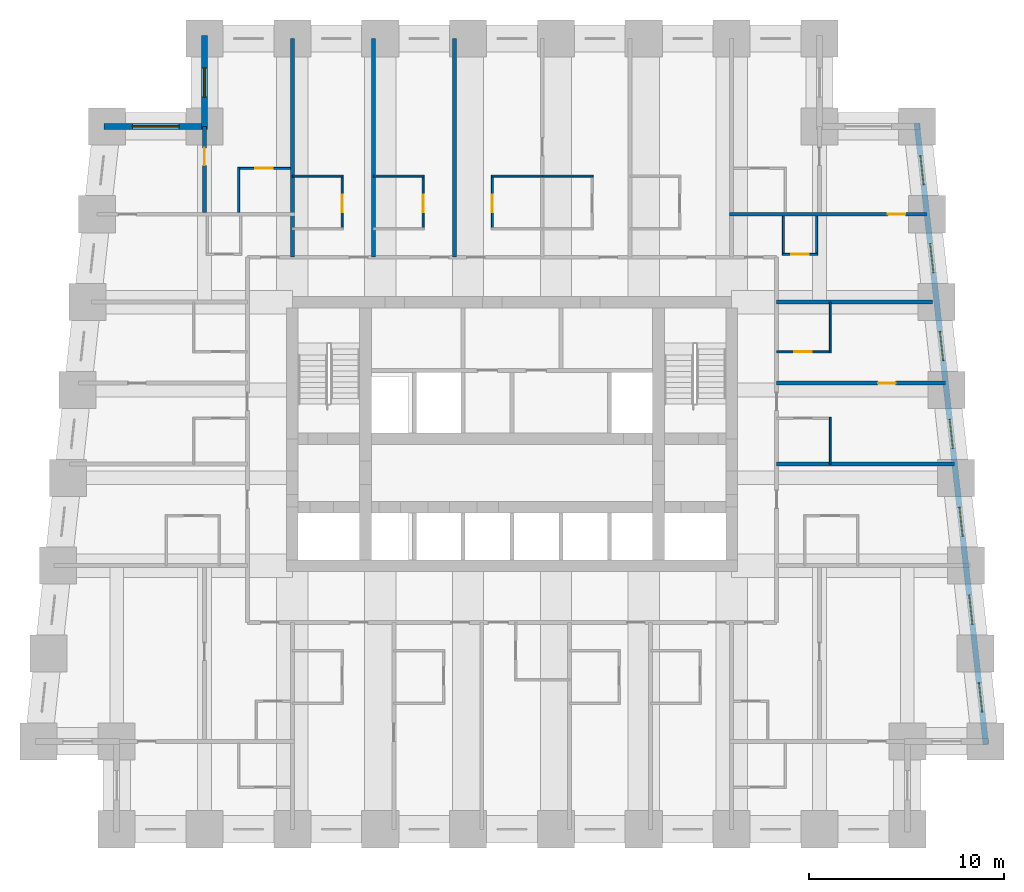
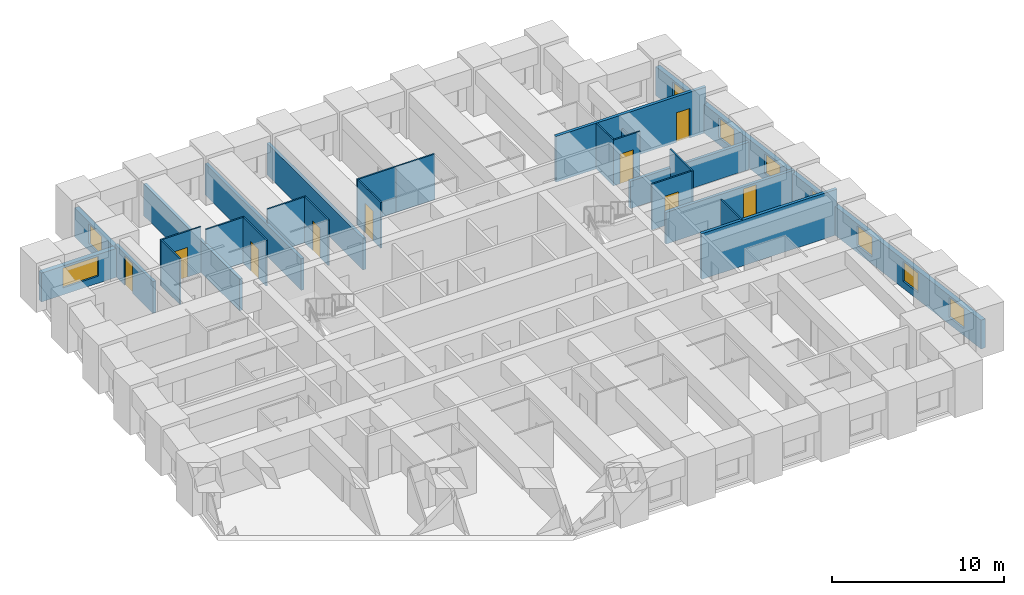
# One storey, part 6 of 8: 26 walls, 9 doors, 9 windows, 18 openings.
"""IFC4 building model written with IfcOpenShell, lengths in metres."""

from ifc_helpers import new_model, si_unit, direction, frame, frame_2d, origin, place, context, subcontext, project, spatial, rectangle, extrude, material, layer, layer_set, type_object, element, fill, save


model = new_model("IFC4")

# Units and contexts
model_context = context("Model", 3, precision=1e-05, world=origin(), true_north=direction((0.0, 1.0)))
body_context = subcontext(model_context, "Body", "Model", "MODEL_VIEW")
ifc_project = project(units=[si_unit("LENGTHUNIT", "METRE"), si_unit("AREAUNIT", "SQUARE_METRE"), si_unit("VOLUMEUNIT", "CUBIC_METRE"), si_unit("PLANEANGLEUNIT", "RADIAN"), si_unit("MASSUNIT", "GRAM", prefix="KILO")], contexts=[model_context])

# Site, building, storey
site_placement = place(None, origin())
site = spatial("IfcSite", under=ifc_project, at=site_placement, CompositionType="ELEMENT")
building_placement = place(site_placement, origin())
building = spatial("IfcBuilding", under=site, at=building_placement, Name="Kilele Tower Hotel", CompositionType="ELEMENT")
storey_placement = place(building_placement, frame((0.0, 0.0, 40.199951171875)))
storey = spatial("IfcBuildingStorey", under=building, at=storey_placement, Name="L08", CompositionType="ELEMENT", Elevation=40.199951171875)

# Walls
ifc_material_1 = material(Name="Moisture-resistant board")
ifc_layer_1 = layer(ifc_material_1, 0.10009765625)
ifc_layer_set_1 = layer_set([ifc_layer_1], Name="Moisture-resistant board")
wall_type_1 = type_object("IfcWallType", Name="Bathroom partition 100", PredefinedType="PLUMBINGWALL", material=ifc_layer_set_1)
wall_1_placement = place(storey_placement, frame((41.050048828125, 18.699951171875, 0.0), z_axis=(0.0, 0.0, 1.0), x_axis=(0.0, 1.0, 0.0)))
element("IfcWall", 1, at=wall_1_placement, inside=storey, type_object=wall_type_1, Name="Bathroom partition 100 L08", PredefinedType="PLUMBINGWALL", context=body_context, shape_type="SweptSolid", body=[
    extrude(rectangle(XDim=2.400146484375, YDim=0.10009765625, at=frame_2d((1.2001953125, 0.0))), origin(), (0.0, 0.0, 1.0), 3.25),
])
wall_2_placement = place(storey_placement, frame((41.050048828125, 24.39990234375, 0.0), z_axis=(0.0, 0.0, 1.0), x_axis=(0.0, 1.0, 0.0)))
element("IfcWall", 2, at=wall_2_placement, inside=storey, type_object=wall_type_1, Name="Bathroom partition 100 L08", PredefinedType="PLUMBINGWALL", context=body_context, shape_type="SweptSolid", body=[
    extrude(rectangle(XDim=2.60009765625, YDim=0.10009765625, at=frame_2d((1.300048828125, 0.0))), origin(), (0.0, 0.0, 1.0), 3.25),
])

# Wall, opening, door
wall_3_placement = place(storey_placement, frame((38.300048828125, 24.449951171875, 0.0), z_axis=(0.0, 0.0, 1.0), x_axis=(1.0, 0.0, 0.0)))
wall_3 = element("IfcWall", 3, at=wall_3_placement, inside=storey, type_object=wall_type_1, Name="Bathroom partition 100 L08", PredefinedType="PLUMBINGWALL", context=body_context, shape_type="SweptSolid", body=[
    extrude(rectangle(XDim=2.800048828125, YDim=0.10009765625, at=frame_2d((1.39990234375, 0.0))), origin(), (0.0, 0.0, 1.0), 3.25),
])
opening_1_placement = place(wall_3_placement, frame((1.7998046875, 0.0, 0.0), z_axis=(0.0, 0.0, 1.0), x_axis=(-1.0, 0.0, 0.0)))
opening_1 = element("IfcOpeningElement", 4, at=opening_1_placement, cuts=wall_3, Name="Opening D2A", PredefinedType="OPENING", context=body_context, shape_type="SweptSolid", body=[
    extrude(rectangle(XDim=0.89990234375, YDim=2.10009765625, at=frame_2d((0.449951171875, 1.050048828125))), frame((0.0, 0.06005859375, 0.0), z_axis=(0.0, -1.0, 0.0), x_axis=(1.0, 0.0, 0.0)), (0.0, 0.0, 1.0), 0.1201171875),
])
ifc_material_2 = material(Name="Timber door leaf in hardwood frame", Category="wood")
door_type_1 = type_object("IfcDoorType", Name="Bathroom door 900", OperationType="SINGLE_SWING_LEFT", PredefinedType="DOOR", material=ifc_material_2)
door_1_placement = place(opening_1_placement, origin())
door_1 = element("IfcDoor", 5, at=door_1_placement, inside=storey, type_object=door_type_1, Name="Bathroom door 0808B", OperationType="SINGLE_SWING_RIGHT", OverallHeight=2.10009765625, OverallWidth=0.89990234375, PredefinedType="DOOR", context=body_context, shape_type="SweptSolid", body=[
    extrude(rectangle(XDim=0.89990234375, YDim=2.10009765625, at=frame_2d((0.449951171875, 1.050048828125))), frame((0.0, 0.02490234375, 0.0), z_axis=(0.0, -1.0, 0.0), x_axis=(1.0, 0.0, 0.0)), (0.0, 0.0, 1.0), 0.050048828125),
])
fill(opening_1, door_1)

# Wall
wall_4_placement = place(storey_placement, frame((13.5, 33.449951171875, 0.0), z_axis=(0.0, 0.0, 1.0), x_axis=(1.0, 0.0, 0.0)))
element("IfcWall", 6, at=wall_4_placement, inside=storey, type_object=wall_type_1, Name="Bathroom partition 100 L08", PredefinedType="PLUMBINGWALL", context=body_context, shape_type="SweptSolid", body=[
    extrude(rectangle(XDim=2.60009765625, YDim=0.10009765625, at=frame_2d((1.300048828125, 0.0))), origin(), (0.0, 0.0, 1.0), 3.25),
])

# Wall, opening, door
wall_5_placement = place(storey_placement, frame((16.050048828125, 30.699951171875, 0.0), z_axis=(0.0, 0.0, 1.0), x_axis=(0.0, 1.0, 0.0)))
wall_5 = element("IfcWall", 7, at=wall_5_placement, inside=storey, type_object=wall_type_1, Name="Bathroom partition 100 L08", PredefinedType="PLUMBINGWALL", context=body_context, shape_type="SweptSolid", body=[
    extrude(rectangle(XDim=2.800048828125, YDim=0.10009765625, at=frame_2d((1.39990234375, 0.0))), origin(), (0.0, 0.0, 1.0), 3.25),
])
opening_2_placement = place(wall_5_placement, frame((1.7998046875, 0.0, 0.0), z_axis=(0.0, 0.0, 1.0), x_axis=(-1.0, 0.0, 0.0)))
opening_2 = element("IfcOpeningElement", 8, at=opening_2_placement, cuts=wall_5, Name="Opening D2A", PredefinedType="OPENING", context=body_context, shape_type="SweptSolid", body=[
    extrude(rectangle(XDim=0.89990234375, YDim=2.10009765625, at=frame_2d((0.449951171875, 1.050048828125))), frame((0.0, 0.06005859375, 0.0), z_axis=(0.0, -1.0, 0.0), x_axis=(1.0, 0.0, 0.0)), (0.0, 0.0, 1.0), 0.1201171875),
])
door_2_placement = place(opening_2_placement, origin())
door_2 = element("IfcDoor", 9, at=door_2_placement, inside=storey, type_object=door_type_1, Name="Bathroom door 0809B", OperationType="SINGLE_SWING_RIGHT", OverallHeight=2.10009765625, OverallWidth=0.89990234375, PredefinedType="DOOR", context=body_context, shape_type="SweptSolid", body=[
    extrude(rectangle(XDim=0.89990234375, YDim=2.10009765625, at=frame_2d((0.449951171875, 1.050048828125))), frame((0.0, 0.02490234375, 0.0), z_axis=(0.0, -1.0, 0.0), x_axis=(1.0, 0.0, 0.0)), (0.0, 0.0, 1.0), 0.050048828125),
])
fill(opening_2, door_2)

# Wall
wall_6_placement = place(storey_placement, frame((17.64990234375, 33.449951171875, 0.0), z_axis=(0.0, 0.0, 1.0), x_axis=(1.0, 0.0, 0.0)))
element("IfcWall", 10, at=wall_6_placement, inside=storey, type_object=wall_type_1, Name="Bathroom partition 100 L08", PredefinedType="PLUMBINGWALL", context=body_context, shape_type="SweptSolid", body=[
    extrude(rectangle(XDim=2.60009765625, YDim=0.10009765625, at=frame_2d((1.300048828125, 0.0))), origin(), (0.0, 0.0, 1.0), 3.25),
])

# Wall, opening, door
wall_7_placement = place(storey_placement, frame((20.199951171875, 30.699951171875, 0.0), z_axis=(0.0, 0.0, 1.0), x_axis=(0.0, 1.0, 0.0)))
wall_7 = element("IfcWall", 11, at=wall_7_placement, inside=storey, type_object=wall_type_1, Name="Bathroom partition 100 L08", PredefinedType="PLUMBINGWALL", context=body_context, shape_type="SweptSolid", body=[
    extrude(rectangle(XDim=2.800048828125, YDim=0.10009765625, at=frame_2d((1.39990234375, 0.0))), origin(), (0.0, 0.0, 1.0), 3.25),
])
opening_3_placement = place(wall_7_placement, frame((1.7998046875, 0.0, 0.0), z_axis=(0.0, 0.0, 1.0), x_axis=(-1.0, 0.0, 0.0)))
opening_3 = element("IfcOpeningElement", 12, at=opening_3_placement, cuts=wall_7, Name="Opening D2A", PredefinedType="OPENING", context=body_context, shape_type="SweptSolid", body=[
    extrude(rectangle(XDim=0.89990234375, YDim=2.10009765625, at=frame_2d((0.449951171875, 1.050048828125))), frame((0.0, 0.06005859375, 0.0), z_axis=(0.0, -1.0, 0.0), x_axis=(1.0, 0.0, 0.0)), (0.0, 0.0, 1.0), 0.1201171875),
])
door_3_placement = place(opening_3_placement, origin())
door_3 = element("IfcDoor", 13, at=door_3_placement, inside=storey, type_object=door_type_1, Name="Bathroom door 0810B", OperationType="SINGLE_SWING_RIGHT", OverallHeight=2.10009765625, OverallWidth=0.89990234375, PredefinedType="DOOR", context=body_context, shape_type="SweptSolid", body=[
    extrude(rectangle(XDim=0.89990234375, YDim=2.10009765625, at=frame_2d((0.449951171875, 1.050048828125))), frame((0.0, 0.02490234375, 0.0), z_axis=(0.0, -1.0, 0.0), x_axis=(1.0, 0.0, 0.0)), (0.0, 0.0, 1.0), 0.050048828125),
])
fill(opening_3, door_3)

# Wall
wall_8_placement = place(storey_placement, frame((23.699951171875, 33.449951171875, 0.0), z_axis=(0.0, 0.0, 1.0), x_axis=(1.0, 0.0, 0.0)))
element("IfcWall", 14, at=wall_8_placement, inside=storey, type_object=wall_type_1, Name="Bathroom partition 100 L08", PredefinedType="PLUMBINGWALL", context=body_context, shape_type="SweptSolid", body=[
    extrude(rectangle(XDim=2.60009765625, YDim=0.10009765625, at=frame_2d((1.300048828125, 0.0))), origin(), (0.0, 0.0, 1.0), 3.25),
])

# Wall, opening, door
wall_9_placement = place(storey_placement, frame((23.75, 30.699951171875, 0.0), z_axis=(0.0, 0.0, 1.0), x_axis=(0.0, 1.0, 0.0)))
wall_9 = element("IfcWall", 15, at=wall_9_placement, inside=storey, type_object=wall_type_1, Name="Bathroom partition 100 L08", PredefinedType="PLUMBINGWALL", context=body_context, shape_type="SweptSolid", body=[
    extrude(rectangle(XDim=2.800048828125, YDim=0.10009765625, at=frame_2d((1.39990234375, 0.0))), origin(), (0.0, 0.0, 1.0), 3.25),
])
opening_4_placement = place(wall_9_placement, frame((0.89990234375, 0.0, 0.0)))
opening_4 = element("IfcOpeningElement", 16, at=opening_4_placement, cuts=wall_9, Name="Opening D2A", PredefinedType="OPENING", context=body_context, shape_type="SweptSolid", body=[
    extrude(rectangle(XDim=0.89990234375, YDim=2.10009765625, at=frame_2d((0.449951171875, 1.050048828125))), frame((0.0, 0.06005859375, 0.0), z_axis=(0.0, -1.0, 0.0), x_axis=(1.0, 0.0, 0.0)), (0.0, 0.0, 1.0), 0.1201171875),
])
door_4_placement = place(opening_4_placement, origin())
door_4 = element("IfcDoor", 17, at=door_4_placement, inside=storey, type_object=door_type_1, Name="Bathroom door 0811B", OperationType="SINGLE_SWING_LEFT", OverallHeight=2.10009765625, OverallWidth=0.89990234375, PredefinedType="DOOR", context=body_context, shape_type="SweptSolid", body=[
    extrude(rectangle(XDim=0.89990234375, YDim=2.10009765625, at=frame_2d((0.449951171875, 1.050048828125))), frame((0.0, 0.02490234375, 0.0), z_axis=(0.0, -1.0, 0.0), x_axis=(1.0, 0.0, 0.0)), (0.0, 0.0, 1.0), 0.050048828125),
])
fill(opening_4, door_4)

# Walls
wall_10_placement = place(storey_placement, frame((26.300048828125, 33.449951171875, 0.0), z_axis=(0.0, 0.0, 1.0), x_axis=(1.0, 0.0, 0.0)))
element("IfcWall", 18, at=wall_10_placement, inside=storey, type_object=wall_type_1, Name="Bathroom partition 100 L08", PredefinedType="PLUMBINGWALL", context=body_context, shape_type="SweptSolid", body=[
    extrude(rectangle(XDim=2.599853515625, YDim=0.10009765625, at=frame_2d((1.2998046875, 0.0))), origin(), (0.0, 0.0, 1.0), 3.25),
])
wall_11_placement = place(storey_placement, frame((40.35009765625, 31.39990234375, 0.0), z_axis=(0.0, 0.0, 1.0), x_axis=(0.0, -1.0, 0.0)))
element("IfcWall", 19, at=wall_11_placement, inside=storey, type_object=wall_type_1, Name="Bathroom partition 100 L08", PredefinedType="PLUMBINGWALL", context=body_context, shape_type="SweptSolid", body=[
    extrude(rectangle(XDim=2.0, YDim=0.10009765625, at=frame_2d((1.0, 0.0))), origin(), (0.0, 0.0, 1.0), 2.25),
])
wall_12_placement = place(storey_placement, frame((38.64990234375, 31.39990234375, 0.0), z_axis=(0.0, 0.0, 1.0), x_axis=(0.0, -1.0, 0.0)))
element("IfcWall", 20, at=wall_12_placement, inside=storey, type_object=wall_type_1, Name="Bathroom partition 100 L08", PredefinedType="PLUMBINGWALL", context=body_context, shape_type="SweptSolid", body=[
    extrude(rectangle(XDim=2.0, YDim=0.10009765625, at=frame_2d((1.0, 0.0))), origin(), (0.0, 0.0, 1.0), 3.25),
])

# Wall, opening, door
wall_13_placement = place(storey_placement, frame((38.60009765625, 29.449951171875, 0.0), z_axis=(0.0, 0.0, 1.0), x_axis=(1.0, 0.0, 0.0)))
wall_13 = element("IfcWall", 21, at=wall_13_placement, inside=storey, type_object=wall_type_1, Name="Bathroom partition 100 L08", PredefinedType="PLUMBINGWALL", context=body_context, shape_type="SweptSolid", body=[
    extrude(rectangle(XDim=1.7998046875, YDim=0.10009765625, at=frame_2d((0.89990234375, 0.0))), origin(), (0.0, 0.0, 1.0), 3.25),
])
opening_5_placement = place(wall_13_placement, frame((1.349853515625, 0.0, 0.0), z_axis=(0.0, 0.0, 1.0), x_axis=(-1.0, 0.0, 0.0)))
opening_5 = element("IfcOpeningElement", 22, at=opening_5_placement, cuts=wall_13, Name="Opening D2A", PredefinedType="OPENING", context=body_context, shape_type="SweptSolid", body=[
    extrude(rectangle(XDim=0.89990234375, YDim=2.10009765625, at=frame_2d((0.449951171875, 1.050048828125))), frame((0.0, 0.06005859375, 0.0), z_axis=(0.0, -1.0, 0.0), x_axis=(1.0, 0.0, 0.0)), (0.0, 0.0, 1.0), 0.1201171875),
])
door_5_placement = place(opening_5_placement, origin())
door_5 = element("IfcDoor", 23, at=door_5_placement, inside=storey, type_object=door_type_1, Name="Bathroom door 0823P", OperationType="SINGLE_SWING_RIGHT", OverallHeight=2.10009765625, OverallWidth=0.89990234375, PredefinedType="DOOR", context=body_context, shape_type="SweptSolid", body=[
    extrude(rectangle(XDim=0.89990234375, YDim=2.10009765625, at=frame_2d((0.449951171875, 1.050048828125))), frame((0.0, 0.02490234375, 0.0), z_axis=(0.0, -1.0, 0.0), x_axis=(1.0, 0.0, 0.0)), (0.0, 0.0, 1.0), 0.050048828125),
])
fill(opening_5, door_5)

# Wall
wall_14_placement = place(storey_placement, frame((10.75, 31.60009765625, 0.0), z_axis=(0.0, 0.0, 1.0), x_axis=(0.0, 1.0, 0.0)))
element("IfcWall", 24, at=wall_14_placement, inside=storey, type_object=wall_type_1, Name="Bathroom partition 100 L08", PredefinedType="PLUMBINGWALL", context=body_context, shape_type="SweptSolid", body=[
    extrude(rectangle(XDim=2.2998046875, YDim=0.10009765625, at=frame_2d((1.14990234375, 0.0))), origin(), (0.0, 0.0, 1.0), 3.25),
])

# Wall, opening, door
wall_15_placement = place(storey_placement, frame((13.39990234375, 33.85009765625, 0.0), z_axis=(0.0, 0.0, 1.0), x_axis=(-1.0, 0.0, 0.0)))
wall_15 = element("IfcWall", 25, at=wall_15_placement, inside=storey, type_object=wall_type_1, Name="Bathroom partition 100 L08", PredefinedType="PLUMBINGWALL", context=body_context, shape_type="SweptSolid", body=[
    extrude(rectangle(XDim=2.699951171875, YDim=0.10009765625, at=frame_2d((1.35009765625, 0.0))), origin(), (0.0, 0.0, 1.0), 3.25),
])
opening_6_placement = place(wall_15_placement, frame((1.7998046875, 0.0, 0.0), z_axis=(0.0, 0.0, 1.0), x_axis=(-1.0, 0.0, 0.0)))
opening_6 = element("IfcOpeningElement", 26, at=opening_6_placement, cuts=wall_15, Name="Opening D2A", PredefinedType="OPENING", context=body_context, shape_type="SweptSolid", body=[
    extrude(rectangle(XDim=0.89990234375, YDim=2.10009765625, at=frame_2d((0.449951171875, 1.050048828125))), frame((0.0, 0.06005859375, 0.0), z_axis=(0.0, -1.0, 0.0), x_axis=(1.0, 0.0, 0.0)), (0.0, 0.0, 1.0), 0.1201171875),
])
door_6_placement = place(opening_6_placement, origin())
door_6 = element("IfcDoor", 27, at=door_6_placement, inside=storey, type_object=door_type_1, Name="Bathroom door 0827B", OperationType="SINGLE_SWING_RIGHT", OverallHeight=2.10009765625, OverallWidth=0.89990234375, PredefinedType="DOOR", context=body_context, shape_type="SweptSolid", body=[
    extrude(rectangle(XDim=0.89990234375, YDim=2.10009765625, at=frame_2d((0.449951171875, 1.050048828125))), frame((0.0, 0.02490234375, 0.0), z_axis=(0.0, -1.0, 0.0), x_axis=(1.0, 0.0, 0.0)), (0.0, 0.0, 1.0), 0.050048828125),
])
fill(opening_6, door_6)

ifc_material_3 = material(Name="Blockwork, plastered both sides", Category="masonry")
ifc_layer_2 = layer(ifc_material_3, 0.199951171875)
ifc_layer_set_2 = layer_set([ifc_layer_2], Name="Blockwork, plastered both sides")
wall_type_2 = type_object("IfcWallType", Name="Partition wall 200", PredefinedType="PARTITIONING", material=ifc_layer_set_2)
wall_16_placement = place(storey_placement, frame((9.0, 31.60009765625, 0.0), z_axis=(0.0, 0.0, 1.0), x_axis=(0.0, 1.0, 0.0)))
wall_16 = element("IfcWall", 28, at=wall_16_placement, inside=storey, type_object=wall_type_2, Name="Partition wall 200 L08", PredefinedType="PARTITIONING", context=body_context, shape_type="SweptSolid", body=[
    extrude(rectangle(XDim=4.39990234375, YDim=0.199951171875, at=frame_2d((2.199951171875, 0.0))), origin(), (0.0, 0.0, 1.0), 2.25),
])
opening_7_placement = place(wall_16_placement, frame((2.39990234375, 0.0, 0.0)))
opening_7 = element("IfcOpeningElement", 29, at=opening_7_placement, cuts=wall_16, Name="Opening D3", PredefinedType="OPENING", context=body_context, shape_type="SweptSolid", body=[
    extrude(rectangle(XDim=0.89990234375, YDim=2.10009765625, at=frame_2d((0.449951171875, 1.050048828125))), frame((0.0, 0.10986328125, 0.0), z_axis=(0.0, -1.0, 0.0), x_axis=(1.0, 0.0, 0.0)), (0.0, 0.0, 1.0), 0.219970703125),
])
ifc_material_4 = material(Name="Timber door leaf in hardwood frame", Category="wood")
door_type_2 = type_object("IfcDoorType", Name="Suite internal door 900", OperationType="SINGLE_SWING_LEFT", PredefinedType="DOOR", material=ifc_material_4)
door_7_placement = place(opening_7_placement, origin())
door_7 = element("IfcDoor", 30, at=door_7_placement, inside=storey, type_object=door_type_2, Name="Suite door 0828", OperationType="SINGLE_SWING_RIGHT", OverallHeight=2.10009765625, OverallWidth=0.89990234375, PredefinedType="DOOR", context=body_context, shape_type="SweptSolid", body=[
    extrude(rectangle(XDim=0.89990234375, YDim=2.10009765625, at=frame_2d((0.449951171875, 1.050048828125))), frame((0.0, 0.02490234375, 0.0), z_axis=(0.0, -1.0, 0.0), x_axis=(1.0, 0.0, 0.0)), (0.0, 0.0, 1.0), 0.050048828125),
])
fill(opening_7, door_7)

# Wall
ifc_material_5 = material(Name="Blockwork, plastered both sides", Category="masonry")
ifc_layer_3 = layer(ifc_material_5, 0.199951171875)
ifc_layer_set_3 = layer_set([ifc_layer_3], Name="Blockwork, plastered both sides")
wall_type_3 = type_object("IfcWallType", Name="Party wall 200", PredefinedType="PARTITIONING", material=ifc_layer_set_3)
wall_17_placement = place(storey_placement, frame((38.300048828125, 18.699951171875, 0.0), z_axis=(0.0, 0.0, 1.0), x_axis=(1.0, 0.0, 0.0)))
element("IfcWall", 31, at=wall_17_placement, inside=storey, type_object=wall_type_3, Name="Party wall 200 L08", PredefinedType="PARTITIONING", context=body_context, shape_type="SweptSolid", body=[
    extrude(rectangle(XDim=9.121337890625, YDim=0.199951171875, at=frame_2d((4.560546875, 0.0))), origin(), (0.0, 0.0, 1.0), 3.25),
])

# Wall, opening, door
wall_18_placement = place(storey_placement, frame((38.300048828125, 22.85009765625, 0.0), z_axis=(0.0, 0.0, 1.0), x_axis=(1.0, 0.0, 0.0)))
wall_18 = element("IfcWall", 32, at=wall_18_placement, inside=storey, type_object=wall_type_3, Name="Party wall 200 L08", PredefinedType="PARTITIONING", context=body_context, shape_type="SweptSolid", body=[
    extrude(rectangle(XDim=8.66015625, YDim=0.199951171875, at=frame_2d((4.330078125, 0.0))), origin(), (0.0, 0.0, 1.0), 2.25),
])
opening_8_placement = place(wall_18_placement, frame((5.199951171875, 0.0, 0.0)))
opening_8 = element("IfcOpeningElement", 33, at=opening_8_placement, cuts=wall_18, Name="Opening D3", PredefinedType="OPENING", context=body_context, shape_type="SweptSolid", body=[
    extrude(rectangle(XDim=0.89990234375, YDim=2.10009765625, at=frame_2d((0.449951171875, 1.050048828125))), frame((0.0, 0.10986328125, 0.0), z_axis=(0.0, -1.0, 0.0), x_axis=(1.0, 0.0, 0.0)), (0.0, 0.0, 1.0), 0.219970703125),
])
door_8_placement = place(opening_8_placement, origin())
door_8 = element("IfcDoor", 34, at=door_8_placement, inside=storey, type_object=door_type_2, Name="Suite door 0808", OperationType="SINGLE_SWING_RIGHT", OverallHeight=2.10009765625, OverallWidth=0.89990234375, PredefinedType="DOOR", context=body_context, shape_type="SweptSolid", body=[
    extrude(rectangle(XDim=0.89990234375, YDim=2.10009765625, at=frame_2d((0.449951171875, 1.050048828125))), frame((0.0, 0.02490234375, 0.0), z_axis=(0.0, -1.0, 0.0), x_axis=(1.0, 0.0, 0.0)), (0.0, 0.0, 1.0), 0.050048828125),
])
fill(opening_8, door_8)

# Walls
for number, where, z_axis, x_axis, name in (
    (35, (17.64990234375, 29.300048828125, 0.0), (0.0, 0.0, 1.0), (0.0, 1.0, 0.0), "Party wall 200 L08"),
    (36, (21.800048828125, 29.300048828125, 0.0), (0.0, 0.0, 1.0), (0.0, 1.0, 0.0), "Party wall 200 L08"),
):
    element("IfcWall", number, at=place(storey_placement, frame(where, z_axis=z_axis, x_axis=x_axis)), inside=storey, type_object=wall_type_3, Name=name, PredefinedType="PARTITIONING", context=body_context, shape_type="SweptSolid", body=[
        extrude(rectangle(XDim=11.199951171875, YDim=0.199951171875, at=frame_2d((5.60009765625, 0.0))), origin(), (0.0, 0.0, 1.0), 2.25),
    ])
wall_19_placement = place(storey_placement, frame((38.300048828125, 27.0, 0.0), z_axis=(0.0, 0.0, 1.0), x_axis=(1.0, 0.0, 0.0)))
element("IfcWall", 37, at=wall_19_placement, inside=storey, type_object=wall_type_3, Name="Party wall 200 L08", PredefinedType="PARTITIONING", context=body_context, shape_type="SweptSolid", body=[
    extrude(rectangle(XDim=7.976806640625, YDim=0.199951171875, at=frame_2d((3.98828125, 0.0))), origin(), (0.0, 0.0, 1.0), 1.949951171875),
])

# Wall, opening, door
wall_20_placement = place(storey_placement, frame((35.89990234375, 31.5, 0.0), z_axis=(0.0, 0.0, 1.0), x_axis=(1.0, 0.0, 0.0)))
wall_20 = element("IfcWall", 38, at=wall_20_placement, inside=storey, type_object=wall_type_3, Name="Party wall 200 L08", PredefinedType="PARTITIONING", context=body_context, shape_type="SweptSolid", body=[
    extrude(rectangle(XDim=10.09912109375, YDim=0.199951171875, at=frame_2d((5.049560546875, 0.0))), origin(), (0.0, 0.0, 1.0), 3.25),
])
opening_9_placement = place(wall_20_placement, frame((8.09912109375, 0.0, 0.0)))
opening_9 = element("IfcOpeningElement", 39, at=opening_9_placement, cuts=wall_20, Name="Opening D3", PredefinedType="OPENING", context=body_context, shape_type="SweptSolid", body=[
    extrude(rectangle(XDim=0.89990234375, YDim=2.10009765625, at=frame_2d((0.449951171875, 1.050048828125))), frame((0.0, 0.10986328125, 0.0), z_axis=(0.0, -1.0, 0.0), x_axis=(1.0, 0.0, 0.0)), (0.0, 0.0, 1.0), 0.219970703125),
])
door_9_placement = place(opening_9_placement, origin())
door_9 = element("IfcDoor", 40, at=door_9_placement, inside=storey, type_object=door_type_2, Name="Suite door 0824", OperationType="SINGLE_SWING_RIGHT", OverallHeight=2.10009765625, OverallWidth=0.89990234375, PredefinedType="DOOR", context=body_context, shape_type="SweptSolid", body=[
    extrude(rectangle(XDim=0.89990234375, YDim=2.10009765625, at=frame_2d((0.449951171875, 1.050048828125))), frame((0.0, 0.02490234375, 0.0), z_axis=(0.0, -1.0, 0.0), x_axis=(1.0, 0.0, 0.0)), (0.0, 0.0, 1.0), 0.050048828125),
])
fill(opening_9, door_9)

# Wall
wall_21_placement = place(storey_placement, frame((13.5, 29.300048828125, 0.0), z_axis=(0.0, 0.0, 1.0), x_axis=(0.0, 1.0, 0.0)))
element("IfcWall", 41, at=wall_21_placement, inside=storey, type_object=wall_type_3, Name="Party wall 200 L08", PredefinedType="PARTITIONING", context=body_context, shape_type="SweptSolid", body=[
    extrude(rectangle(XDim=11.199951171875, YDim=0.199951171875, at=frame_2d((5.60009765625, 0.0))), origin(), (0.0, 0.0, 1.0), 2.25),
])

# Wall, openings, windows
ifc_material_6 = material(Name="Concrete C40/50 precast", Category="concrete")
ifc_layer_4 = layer(ifc_material_6, 0.260009765625, Name="Precast backing", Category="LoadBearing")
ifc_material_7 = material(Name="Reconstituted stone finish", Category="masonry")
ifc_layer_5 = layer(ifc_material_7, 0.0400390625, Name="Face mix", Category="Finish")
ifc_layer_set_4 = layer_set([ifc_layer_4, ifc_layer_5], Name="Precast concrete C40/50, reconstituted stone finish")
wall_type_4 = type_object("IfcWallType", Name="Precast stone facade wall 300", PredefinedType="STANDARD", material=ifc_layer_set_4)
wall_22_placement = place(storey_placement, frame((49.0166015625, 4.350830078125, 0.0), z_axis=(0.0, 0.0, 1.0), x_axis=(-0.110433201132, 0.993883548555, 0.0)))
wall_22 = element("IfcWall", 42, at=wall_22_placement, inside=storey, type_object=wall_type_4, Name="Facade wall L08 edge 6", PredefinedType="STANDARD", context=body_context, shape_type="SweptSolid", body=[
    extrude(rectangle(XDim=31.994140625, YDim=0.300048828125, at=frame_2d((15.9970703125, 0.0))), origin(), (0.0, 0.0, 1.0), 2.050048828125),
])
opening_10_placement = place(wall_22_placement, frame((1.6640625, 0.0, 0.5)))
opening_10 = element("IfcOpeningElement", 43, at=opening_10_placement, cuts=wall_22, Name="Opening W1", PredefinedType="OPENING", context=body_context, shape_type="SweptSolid", body=[
    extrude(rectangle(XDim=1.5, YDim=1.39990234375, at=frame_2d((0.75, 0.699951171875))), frame((0.0, 0.159912109375, 0.0), z_axis=(0.0, -1.0, 0.0), x_axis=(1.0, 0.0, 0.0)), (0.0, 0.0, 1.0), 0.320068359375),
])
opening_11_placement = place(wall_22_placement, frame((6.19189453125, 0.0, 0.5)))
opening_11 = element("IfcOpeningElement", 44, at=opening_11_placement, cuts=wall_22, Name="Opening W1", PredefinedType="OPENING", context=body_context, shape_type="SweptSolid", body=[
    extrude(rectangle(XDim=1.5, YDim=1.39990234375, at=frame_2d((0.75, 0.699951171875))), frame((0.0, 0.159912109375, 0.0), z_axis=(0.0, -1.0, 0.0), x_axis=(1.0, 0.0, 0.0)), (0.0, 0.0, 1.0), 0.320068359375),
])
opening_12_placement = place(wall_22_placement, frame((10.718994140625, 0.0, 0.5)))
opening_12 = element("IfcOpeningElement", 45, at=opening_12_placement, cuts=wall_22, Name="Opening W1", PredefinedType="OPENING", context=body_context, shape_type="SweptSolid", body=[
    extrude(rectangle(XDim=1.5, YDim=1.39990234375, at=frame_2d((0.75, 0.699951171875))), frame((0.0, 0.159912109375, 0.0), z_axis=(0.0, -1.0, 0.0), x_axis=(1.0, 0.0, 0.0)), (0.0, 0.0, 1.0), 0.320068359375),
])
opening_13_placement = place(wall_22_placement, frame((15.2470703125, 0.0, 0.5)))
opening_13 = element("IfcOpeningElement", 46, at=opening_13_placement, cuts=wall_22, Name="Opening W1", PredefinedType="OPENING", context=body_context, shape_type="SweptSolid", body=[
    extrude(rectangle(XDim=1.5, YDim=1.39990234375, at=frame_2d((0.75, 0.699951171875))), frame((0.0, 0.159912109375, 0.0), z_axis=(0.0, -1.0, 0.0), x_axis=(1.0, 0.0, 0.0)), (0.0, 0.0, 1.0), 0.320068359375),
])
opening_14_placement = place(wall_22_placement, frame((19.77490234375, 0.0, 0.5)))
opening_14 = element("IfcOpeningElement", 47, at=opening_14_placement, cuts=wall_22, Name="Opening W1", PredefinedType="OPENING", context=body_context, shape_type="SweptSolid", body=[
    extrude(rectangle(XDim=1.5, YDim=1.39990234375, at=frame_2d((0.75, 0.699951171875))), frame((0.0, 0.159912109375, 0.0), z_axis=(0.0, -1.0, 0.0), x_axis=(1.0, 0.0, 0.0)), (0.0, 0.0, 1.0), 0.320068359375),
])
opening_15_placement = place(wall_22_placement, frame((24.302001953125, 0.0, 0.5)))
opening_15 = element("IfcOpeningElement", 48, at=opening_15_placement, cuts=wall_22, Name="Opening W1", PredefinedType="OPENING", context=body_context, shape_type="SweptSolid", body=[
    extrude(rectangle(XDim=1.5, YDim=1.39990234375, at=frame_2d((0.75, 0.699951171875))), frame((0.0, 0.159912109375, 0.0), z_axis=(0.0, -1.0, 0.0), x_axis=(1.0, 0.0, 0.0)), (0.0, 0.0, 1.0), 0.320068359375),
])
opening_16_placement = place(wall_22_placement, frame((28.830078125, 0.0, 0.5)))
opening_16 = element("IfcOpeningElement", 49, at=opening_16_placement, cuts=wall_22, Name="Opening W1", PredefinedType="OPENING", context=body_context, shape_type="SweptSolid", body=[
    extrude(rectangle(XDim=1.5, YDim=1.39990234375, at=frame_2d((0.75, 0.699951171875))), frame((0.0, 0.159912109375, 0.0), z_axis=(0.0, -1.0, 0.0), x_axis=(1.0, 0.0, 0.0)), (0.0, 0.0, 1.0), 0.320068359375),
])
ifc_material_8 = material(Name="Aluminium frame, clear double glazing", Category="aluminium")
window_type_1 = type_object("IfcWindowType", Name="Window W1 1500 x 1400", PartitioningType="SINGLE_PANEL", PredefinedType="WINDOW", material=ifc_material_8)
window_1_placement = place(opening_10_placement, origin())
window_1 = element("IfcWindow", 50, at=window_1_placement, inside=storey, type_object=window_type_1, Name="Window L08", OverallHeight=1.39990234375, OverallWidth=1.5, PartitioningType="SINGLE_PANEL", PredefinedType="WINDOW", context=body_context, shape_type="SweptSolid", body=[
    extrude(rectangle(XDim=1.5, YDim=1.39990234375, at=frame_2d((0.75, 0.699951171875))), frame((0.0, 0.030029296875, 0.0), z_axis=(0.0, -1.0, 0.0), x_axis=(1.0, 0.0, 0.0)), (0.0, 0.0, 1.0), 0.06005859375),
])
fill(opening_10, window_1)
window_2_placement = place(opening_11_placement, origin())
window_2 = element("IfcWindow", 51, at=window_2_placement, inside=storey, type_object=window_type_1, Name="Window L08", OverallHeight=1.39990234375, OverallWidth=1.5, PartitioningType="SINGLE_PANEL", PredefinedType="WINDOW", context=body_context, shape_type="SweptSolid", body=[
    extrude(rectangle(XDim=1.5, YDim=1.39990234375, at=frame_2d((0.75, 0.699951171875))), frame((0.0, 0.030029296875, 0.0), z_axis=(0.0, -1.0, 0.0), x_axis=(1.0, 0.0, 0.0)), (0.0, 0.0, 1.0), 0.06005859375),
])
fill(opening_11, window_2)
window_3_placement = place(opening_12_placement, origin())
window_3 = element("IfcWindow", 52, at=window_3_placement, inside=storey, type_object=window_type_1, Name="Window L08", OverallHeight=1.39990234375, OverallWidth=1.5, PartitioningType="SINGLE_PANEL", PredefinedType="WINDOW", context=body_context, shape_type="SweptSolid", body=[
    extrude(rectangle(XDim=1.5, YDim=1.39990234375, at=frame_2d((0.75, 0.699951171875))), frame((0.0, 0.030029296875, 0.0), z_axis=(0.0, -1.0, 0.0), x_axis=(1.0, 0.0, 0.0)), (0.0, 0.0, 1.0), 0.06005859375),
])
fill(opening_12, window_3)
window_4_placement = place(opening_13_placement, origin())
window_4 = element("IfcWindow", 53, at=window_4_placement, inside=storey, type_object=window_type_1, Name="Window L08", OverallHeight=1.39990234375, OverallWidth=1.5, PartitioningType="SINGLE_PANEL", PredefinedType="WINDOW", context=body_context, shape_type="SweptSolid", body=[
    extrude(rectangle(XDim=1.5, YDim=1.39990234375, at=frame_2d((0.75, 0.699951171875))), frame((0.0, 0.030029296875, 0.0), z_axis=(0.0, -1.0, 0.0), x_axis=(1.0, 0.0, 0.0)), (0.0, 0.0, 1.0), 0.06005859375),
])
fill(opening_13, window_4)
window_5_placement = place(opening_14_placement, origin())
window_5 = element("IfcWindow", 54, at=window_5_placement, inside=storey, type_object=window_type_1, Name="Window L08", OverallHeight=1.39990234375, OverallWidth=1.5, PartitioningType="SINGLE_PANEL", PredefinedType="WINDOW", context=body_context, shape_type="SweptSolid", body=[
    extrude(rectangle(XDim=1.5, YDim=1.39990234375, at=frame_2d((0.75, 0.699951171875))), frame((0.0, 0.030029296875, 0.0), z_axis=(0.0, -1.0, 0.0), x_axis=(1.0, 0.0, 0.0)), (0.0, 0.0, 1.0), 0.06005859375),
])
fill(opening_14, window_5)
window_6_placement = place(opening_15_placement, origin())
window_6 = element("IfcWindow", 55, at=window_6_placement, inside=storey, type_object=window_type_1, Name="Window L08", OverallHeight=1.39990234375, OverallWidth=1.5, PartitioningType="SINGLE_PANEL", PredefinedType="WINDOW", context=body_context, shape_type="SweptSolid", body=[
    extrude(rectangle(XDim=1.5, YDim=1.39990234375, at=frame_2d((0.75, 0.699951171875))), frame((0.0, 0.030029296875, 0.0), z_axis=(0.0, -1.0, 0.0), x_axis=(1.0, 0.0, 0.0)), (0.0, 0.0, 1.0), 0.06005859375),
])
fill(opening_15, window_6)
window_7_placement = place(opening_16_placement, origin())
window_7 = element("IfcWindow", 56, at=window_7_placement, inside=storey, type_object=window_type_1, Name="Window L08", OverallHeight=1.39990234375, OverallWidth=1.5, PartitioningType="SINGLE_PANEL", PredefinedType="WINDOW", context=body_context, shape_type="SweptSolid", body=[
    extrude(rectangle(XDim=1.5, YDim=1.39990234375, at=frame_2d((0.75, 0.699951171875))), frame((0.0, 0.030029296875, 0.0), z_axis=(0.0, -1.0, 0.0), x_axis=(1.0, 0.0, 0.0)), (0.0, 0.0, 1.0), 0.06005859375),
])
fill(opening_16, window_7)

# Wall, opening, window
wall_23_placement = place(storey_placement, frame((9.0, 40.64990234375, 0.0), z_axis=(0.0, 0.0, 1.0), x_axis=(0.0, -1.0, 0.0)))
wall_23 = element("IfcWall", 57, at=wall_23_placement, inside=storey, type_object=wall_type_4, Name="Facade wall L08 edge 10", PredefinedType="STANDARD", context=body_context, shape_type="SweptSolid", body=[
    extrude(rectangle(XDim=4.7998046875, YDim=0.300048828125, at=frame_2d((2.39990234375, 0.0))), origin(), (0.0, 0.0, 1.0), 2.050048828125),
])
opening_17_placement = place(wall_23_placement, frame((1.64990234375, 0.0, 0.5)))
opening_17 = element("IfcOpeningElement", 58, at=opening_17_placement, cuts=wall_23, Name="Opening W1", PredefinedType="OPENING", context=body_context, shape_type="SweptSolid", body=[
    extrude(rectangle(XDim=1.5, YDim=1.39990234375, at=frame_2d((0.75, 0.699951171875))), frame((0.0, 0.159912109375, 0.0), z_axis=(0.0, -1.0, 0.0), x_axis=(1.0, 0.0, 0.0)), (0.0, 0.0, 1.0), 0.320068359375),
])
window_8_placement = place(opening_17_placement, origin())
window_8 = element("IfcWindow", 59, at=window_8_placement, inside=storey, type_object=window_type_1, Name="Window L08", OverallHeight=1.39990234375, OverallWidth=1.5, PartitioningType="SINGLE_PANEL", PredefinedType="WINDOW", context=body_context, shape_type="SweptSolid", body=[
    extrude(rectangle(XDim=1.5, YDim=1.39990234375, at=frame_2d((0.75, 0.699951171875))), frame((0.0, 0.030029296875, 0.0), z_axis=(0.0, -1.0, 0.0), x_axis=(1.0, 0.0, 0.0)), (0.0, 0.0, 1.0), 0.06005859375),
])
fill(opening_17, window_8)

wall_24_placement = place(storey_placement, frame((9.14990234375, 36.0, 0.0), z_axis=(0.0, 0.0, 1.0), x_axis=(-1.0, 0.0, 0.0)))
wall_24 = element("IfcWall", 60, at=wall_24_placement, inside=storey, type_object=wall_type_4, Name="Facade wall L08 edge 11", PredefinedType="STANDARD", context=body_context, shape_type="SweptSolid", body=[
    extrude(rectangle(XDim=5.2998046875, YDim=0.300048828125, at=frame_2d((2.64990234375, 0.0))), origin(), (0.0, 0.0, 1.0), 2.050048828125),
])
opening_18_placement = place(wall_24_placement, frame((1.449951171875, 0.0, 0.5)))
opening_18 = element("IfcOpeningElement", 61, at=opening_18_placement, cuts=wall_24, Name="Opening W1", PredefinedType="OPENING", context=body_context, shape_type="SweptSolid", body=[
    extrude(rectangle(XDim=2.39990234375, YDim=1.39990234375, at=frame_2d((1.199951171875, 0.699951171875))), frame((0.0, 0.159912109375, 0.0), z_axis=(0.0, -1.0, 0.0), x_axis=(1.0, 0.0, 0.0)), (0.0, 0.0, 1.0), 0.320068359375),
])
ifc_material_9 = material(Name="Aluminium frame, clear double glazing", Category="aluminium")
window_type_2 = type_object("IfcWindowType", Name="Window W1 2400 x 1400", PartitioningType="SINGLE_PANEL", PredefinedType="WINDOW", material=ifc_material_9)
window_9_placement = place(opening_18_placement, origin())
window_9 = element("IfcWindow", 62, at=window_9_placement, inside=storey, type_object=window_type_2, Name="Window L08", OverallHeight=1.39990234375, OverallWidth=2.39990234375, PartitioningType="SINGLE_PANEL", PredefinedType="WINDOW", context=body_context, shape_type="SweptSolid", body=[
    extrude(rectangle(XDim=2.39990234375, YDim=1.39990234375, at=frame_2d((1.199951171875, 0.699951171875))), frame((0.0, 0.030029296875, 0.0), z_axis=(0.0, -1.0, 0.0), x_axis=(1.0, 0.0, 0.0)), (0.0, 0.0, 1.0), 0.06005859375),
])
fill(opening_18, window_9)

save(model, "model.ifc")
